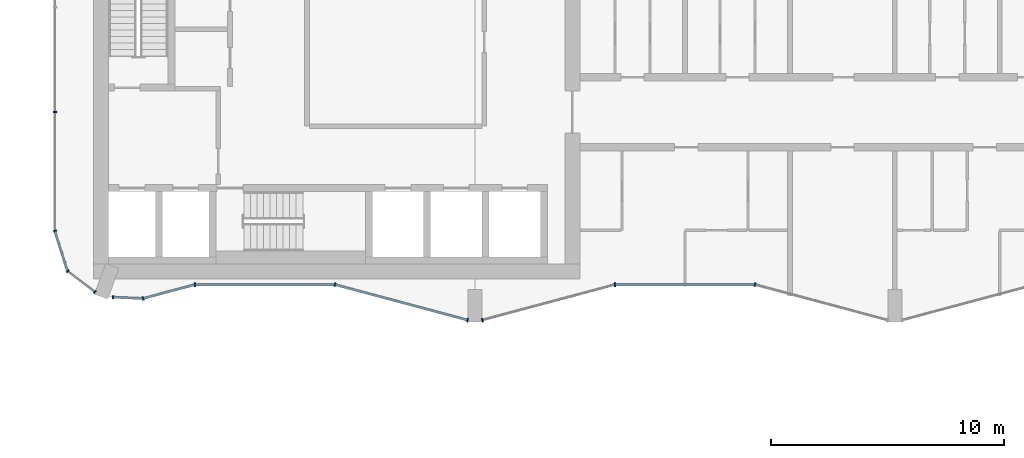
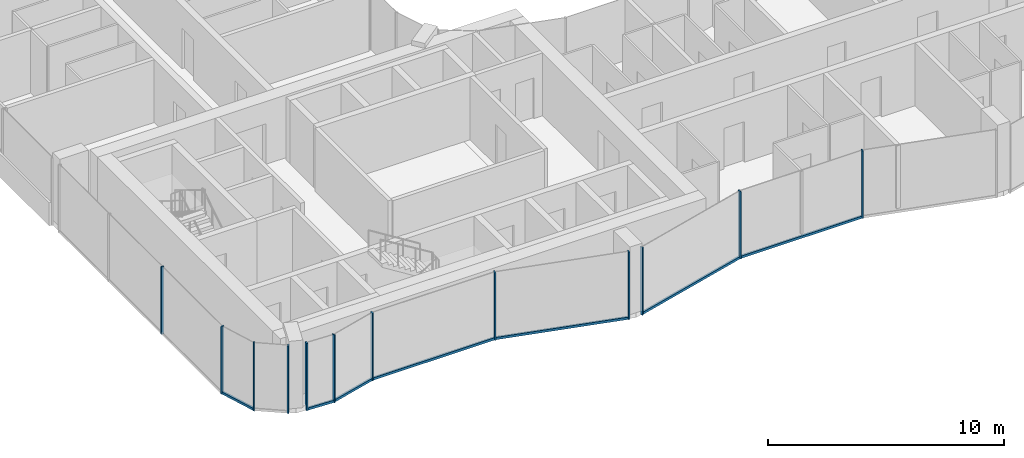
# One storey, part 2 of 22: 19 members, 10 elements without a shape of their own.
"""IFC4 building model written with IfcOpenShell, lengths in metres."""

from ifc_helpers import new_model, si_unit, direction, frame, origin, origin_2d, place, context, subcontext, project, spatial, rectangle, extrude, material, layer, layer_set, material_profile, profile_set, type_object, element, aggregate, save


model = new_model("IFC4")

# Units and contexts
model_context = context("Model", 3, precision=1e-05, world=origin(), true_north=direction((0.0, 1.0)))
body_context = subcontext(model_context, "Body", "Model", "MODEL_VIEW")
ifc_project = project(units=[si_unit("LENGTHUNIT", "METRE"), si_unit("AREAUNIT", "SQUARE_METRE"), si_unit("VOLUMEUNIT", "CUBIC_METRE"), si_unit("PLANEANGLEUNIT", "RADIAN"), si_unit("MASSUNIT", "GRAM", prefix="KILO")], contexts=[model_context])

# Site, building, storey
site_placement = place(None, origin())
site = spatial("IfcSite", under=ifc_project, at=site_placement, CompositionType="ELEMENT")
building_placement = place(site_placement, origin())
building = spatial("IfcBuilding", under=site, at=building_placement, Name="Plateau Cross Towers", CompositionType="ELEMENT")
storey_placement = place(building_placement, frame((0.0, 0.0, 102.800048828125)))
storey = spatial("IfcBuildingStorey", under=building, at=storey_placement, Name="L26", CompositionType="ELEMENT", Elevation=102.800048828125)

# Curtain wall, member
ifc_material_1 = material(Name="Dark low-iron glass", Category="glass")
ifc_layer_1 = layer(ifc_material_1, 0.239990234375)
ifc_layer_set_1 = layer_set([ifc_layer_1], Name="Dark low-iron glass")
curtain_wall_type_1 = type_object("IfcCurtainWallType", Name="Curtain wall flush unitised CW-B", PredefinedType="NOTDEFINED", material=ifc_layer_set_1)
curtain_wall_1_placement = place(storey_placement, origin())
curtain_wall_1 = element("IfcCurtainWall", 1, at=curtain_wall_1_placement, inside=storey, type_object=curtain_wall_type_1, Name="ENV/A/L26/A0_177", PredefinedType="NOTDEFINED")
ifc_material_2 = material(Name="Black anodised aluminium", Category="aluminium")
ifc_material_profile_1 = material_profile(ifc_material_2, rectangle(XDim=0.06005859375, YDim=0.139892578125, at=origin_2d()), Name="MULLION 60x140")
ifc_profile_set_1 = profile_set([ifc_material_profile_1], Name="Black anodised aluminium")
member_type_1 = type_object("IfcMemberType", Name="Mullion 60x140 flush unitised", PredefinedType="MULLION", material=ifc_profile_set_1)
member_1_placement = place(storey_placement, frame((0.0, 9.0, -0.25), z_axis=(0.0, 0.0, 1.0), x_axis=(0.0, -1.0, 0.0)))
member_1 = element("IfcMember", 2, at=member_1_placement, type_object=member_type_1, Name="CW-B mullion 3", PredefinedType="MULLION", context=body_context, shape_type="SweptSolid", body=[
    extrude(rectangle(XDim=0.06005859375, YDim=0.139892578125, at=origin_2d()), origin(), (0.0, 0.0, 1.0), 3.5),
])
aggregate(curtain_wall_1, [member_1])

curtain_wall_2_placement = place(storey_placement, origin())
curtain_wall_2 = element("IfcCurtainWall", 3, at=curtain_wall_2_placement, inside=storey, type_object=curtain_wall_type_1, Name="ENV/A/L26/A0_39", PredefinedType="NOTDEFINED")
member_2_placement = place(storey_placement, frame((0.0, 3.9091796875, -0.25), z_axis=(0.0, 0.0, 1.0), x_axis=(0.300686174994, -0.95372313811, 0.0)))
member_2 = element("IfcMember", 4, at=member_2_placement, type_object=member_type_1, Name="CW-B mullion 1", PredefinedType="MULLION", context=body_context, shape_type="SweptSolid", body=[
    extrude(rectangle(XDim=0.06005859375, YDim=0.139892578125, at=origin_2d()), origin(), (0.0, 0.0, 1.0), 3.5),
])

# Curtain wall, members
curtain_wall_3_placement = place(storey_placement, origin())
curtain_wall_3 = element("IfcCurtainWall", 5, at=curtain_wall_3_placement, inside=storey, type_object=curtain_wall_type_1, Name="ENV/A/L26/A5_22", PredefinedType="NOTDEFINED")
member_3_placement = place(storey_placement, frame((0.54248046875, 2.1884765625, -0.25), z_axis=(0.0, 0.0, 1.0), x_axis=(0.793315514529, -0.608810721331, 0.0)))
member_3 = element("IfcMember", 6, at=member_3_placement, type_object=member_type_1, Name="CW-B mullion 1", PredefinedType="MULLION", context=body_context, shape_type="SweptSolid", body=[
    extrude(rectangle(XDim=0.06005859375, YDim=0.139892578125, at=origin_2d()), origin(), (0.0, 0.0, 1.0), 3.5),
])
member_4_placement = place(storey_placement, frame((1.709716796875, 1.292724609375, -0.25), z_axis=(0.0, 0.0, 1.0), x_axis=(0.793315514529, -0.608810721331, 0.0)))
member_4 = element("IfcMember", 7, at=member_4_placement, type_object=member_type_1, Name="CW-B mullion 2", PredefinedType="MULLION", context=body_context, shape_type="SweptSolid", body=[
    extrude(rectangle(XDim=0.06005859375, YDim=0.139892578125, at=origin_2d()), origin(), (0.0, 0.0, 1.0), 3.5),
])
aggregate(curtain_wall_3, [member_3, member_4])

# Curtain wall, member
curtain_wall_4_placement = place(storey_placement, origin())
curtain_wall_4 = element("IfcCurtainWall", 8, at=curtain_wall_4_placement, inside=storey, type_object=curtain_wall_type_1, Name="ENV/A/L26/A25_11", PredefinedType="NOTDEFINED")
member_5_placement = place(storey_placement, frame((2.483642578125, 1.06787109375, -0.25), z_axis=(0.0, 0.0, 1.0), x_axis=(0.999043701491, -0.043722791671, 0.0)))
member_5 = element("IfcMember", 9, at=member_5_placement, type_object=member_type_1, Name="CW-B mullion 1", PredefinedType="MULLION", context=body_context, shape_type="SweptSolid", body=[
    extrude(rectangle(XDim=0.06005859375, YDim=0.139892578125, at=origin_2d()), origin(), (0.0, 0.0, 1.0), 3.5),
])

ifc_layer_2 = layer(ifc_material_1, 0.260009765625)
ifc_layer_set_2 = layer_set([ifc_layer_2], Name="Dark low-iron glass")
curtain_wall_type_2 = type_object("IfcCurtainWallType", Name="Curtain wall fluted unitised CW-A", PredefinedType="NOTDEFINED", material=ifc_layer_set_2)
curtain_wall_5_placement = place(storey_placement, origin())
curtain_wall_5 = element("IfcCurtainWall", 10, at=curtain_wall_5_placement, inside=storey, type_object=curtain_wall_type_2, Name="ENV/A/L26/A38_10", PredefinedType="NOTDEFINED")
ifc_material_profile_2 = material_profile(ifc_material_2, rectangle(XDim=0.06005859375, YDim=0.159912109375, at=origin_2d()), Name="MULLION 60x160")
ifc_profile_set_2 = profile_set([ifc_material_profile_2], Name="Black anodised aluminium")
member_type_2 = type_object("IfcMemberType", Name="Mullion 60x160 fluted unitised", PredefinedType="MULLION", material=ifc_profile_set_2)
member_6_placement = place(storey_placement, frame((3.776123046875, 1.01123046875, -0.25), z_axis=(0.0, 0.0, 1.0), x_axis=(0.965957962328, 0.258699081978, 0.0)))
member_6 = element("IfcMember", 11, at=member_6_placement, type_object=member_type_2, Name="CW-A mullion 1", PredefinedType="MULLION", context=body_context, shape_type="SweptSolid", body=[
    extrude(rectangle(XDim=0.06005859375, YDim=0.159912109375, at=origin_2d()), origin(), (0.0, 0.0, 1.0), 3.5),
])

curtain_wall_6_placement = place(storey_placement, origin())
curtain_wall_6 = element("IfcCurtainWall", 12, at=curtain_wall_6_placement, inside=storey, type_object=curtain_wall_type_2, Name="ENV/A/L26/A60_16", PredefinedType="NOTDEFINED")
member_7_placement = place(storey_placement, frame((6.0, 1.60693359375, -0.25), z_axis=(0.0, 0.0, 1.0), x_axis=(1.0, 0.0, 0.0)))
member_7 = element("IfcMember", 13, at=member_7_placement, type_object=member_type_2, Name="CW-A mullion 1", PredefinedType="MULLION", context=body_context, shape_type="SweptSolid", body=[
    extrude(rectangle(XDim=0.06005859375, YDim=0.159912109375, at=origin_2d()), origin(), (0.0, 0.0, 1.0), 3.5),
])

# Curtain wall, members
curtain_wall_7_placement = place(storey_placement, origin())
curtain_wall_7 = element("IfcCurtainWall", 14, at=curtain_wall_7_placement, inside=storey, type_object=curtain_wall_type_2, Name="ENV/A/L26/A120_16", PredefinedType="NOTDEFINED")
member_8_placement = place(storey_placement, frame((12.0, 1.60693359375, -0.25), z_axis=(0.0, 0.0, 1.0), x_axis=(0.965957983404, -0.258699003279, 0.0)))
member_8 = element("IfcMember", 15, at=member_8_placement, type_object=member_type_2, Name="CW-A mullion 1", PredefinedType="MULLION", context=body_context, shape_type="SweptSolid", body=[
    extrude(rectangle(XDim=0.06005859375, YDim=0.159912109375, at=origin_2d()), origin(), (0.0, 0.0, 1.0), 3.5),
])
member_9_placement = place(storey_placement, frame((17.68212890625, 0.085205078125, -0.25), z_axis=(0.0, 0.0, 1.0), x_axis=(0.965957983404, -0.258699003279, 0.0)))
member_9 = element("IfcMember", 16, at=member_9_placement, type_object=member_type_2, Name="CW-A mullion 2", PredefinedType="MULLION", context=body_context, shape_type="SweptSolid", body=[
    extrude(rectangle(XDim=0.06005859375, YDim=0.159912109375, at=origin_2d()), origin(), (0.0, 0.0, 1.0), 3.5),
])

# Curtain wall, member
curtain_wall_8_placement = place(storey_placement, origin())
curtain_wall_8 = element("IfcCurtainWall", 17, at=curtain_wall_8_placement, inside=storey, type_object=curtain_wall_type_2, Name="ENV/A/L26/A183_1", PredefinedType="NOTDEFINED")
member_10_placement = place(storey_placement, frame((18.31787109375, 0.085205078125, -0.25), z_axis=(0.0, 0.0, 1.0), x_axis=(0.965957983404, 0.258699003279, 0.0)))
member_10 = element("IfcMember", 18, at=member_10_placement, type_object=member_type_2, Name="CW-A mullion 1", PredefinedType="MULLION", context=body_context, shape_type="SweptSolid", body=[
    extrude(rectangle(XDim=0.06005859375, YDim=0.159912109375, at=origin_2d()), origin(), (0.0, 0.0, 1.0), 3.5),
])

curtain_wall_9_placement = place(storey_placement, origin())
curtain_wall_9 = element("IfcCurtainWall", 19, at=curtain_wall_9_placement, inside=storey, type_object=curtain_wall_type_2, Name="ENV/A/L26/A240_16", PredefinedType="NOTDEFINED")
member_11_placement = place(storey_placement, frame((24.0, 1.60693359375, -0.25), z_axis=(0.0, 0.0, 1.0), x_axis=(1.0, 0.0, 0.0)))
member_11 = element("IfcMember", 20, at=member_11_placement, type_object=member_type_2, Name="CW-A mullion 1", PredefinedType="MULLION", context=body_context, shape_type="SweptSolid", body=[
    extrude(rectangle(XDim=0.06005859375, YDim=0.159912109375, at=origin_2d()), origin(), (0.0, 0.0, 1.0), 3.5),
])

curtain_wall_10_placement = place(storey_placement, origin())
curtain_wall_10 = element("IfcCurtainWall", 21, at=curtain_wall_10_placement, inside=storey, type_object=curtain_wall_type_2, Name="ENV/A/L26/A300_16", PredefinedType="NOTDEFINED")
member_12_placement = place(storey_placement, frame((30.0, 1.60693359375, -0.25), z_axis=(0.0, 0.0, 1.0), x_axis=(0.965957983404, -0.258699003279, 0.0)))
member_12 = element("IfcMember", 22, at=member_12_placement, type_object=member_type_2, Name="CW-A mullion 1", PredefinedType="MULLION", context=body_context, shape_type="SweptSolid", body=[
    extrude(rectangle(XDim=0.06005859375, YDim=0.159912109375, at=origin_2d()), origin(), (0.0, 0.0, 1.0), 3.5),
])
aggregate(curtain_wall_10, [member_12])

# Member
ifc_material_profile_3 = material_profile(ifc_material_2, rectangle(XDim=0.10009765625, YDim=0.1201171875, at=origin_2d()), Name="TRANSOM 100x120")
ifc_profile_set_3 = profile_set([ifc_material_profile_3], Name="Black anodised aluminium")
member_type_3 = type_object("IfcMemberType", Name="Transom 100x120 flush unitised", PredefinedType="USERDEFINED", material=ifc_profile_set_3)
member_13_placement = place(storey_placement, frame((0.0, 3.9091796875, -0.18994140625), z_axis=(0.30067799945, -0.953725715626, 0.0), x_axis=(0.953725715626, 0.30067799945, 0.0)))
member_13 = element("IfcMember", 23, at=member_13_placement, type_object=member_type_3, Name="CW-B transom", ObjectType="TRANSOM", PredefinedType="USERDEFINED", context=body_context, shape_type="SweptSolid", body=[
    extrude(rectangle(XDim=0.10009765625, YDim=0.1201171875, at=origin_2d()), origin(), (0.0, 0.0, 1.0), 1.80419921875),
])

aggregate(curtain_wall_2, [member_2, member_13])

member_14_placement = place(storey_placement, frame((2.483642578125, 1.06787109375, -0.18994140625), z_axis=(0.999041144614, -0.043781175963, 0.0), x_axis=(0.043781175963, 0.999041144614, 0.0)))
member_14 = element("IfcMember", 24, at=member_14_placement, type_object=member_type_3, Name="CW-B transom", ObjectType="TRANSOM", PredefinedType="USERDEFINED", context=body_context, shape_type="SweptSolid", body=[
    extrude(rectangle(XDim=0.10009765625, YDim=0.1201171875, at=origin_2d()), origin(), (0.0, 0.0, 1.0), 1.293701171875),
])

aggregate(curtain_wall_4, [member_5, member_14])

ifc_material_profile_4 = material_profile(ifc_material_2, rectangle(XDim=0.10009765625, YDim=0.1201171875, at=origin_2d()), Name="TRANSOM 100x120")
ifc_profile_set_4 = profile_set([ifc_material_profile_4], Name="Black anodised aluminium")
member_type_4 = type_object("IfcMemberType", Name="Transom 100x120 fluted unitised", PredefinedType="USERDEFINED", material=ifc_profile_set_4)
member_15_placement = place(storey_placement, frame((3.776123046875, 1.01123046875, -0.18994140625), z_axis=(0.965945685136, 0.258744919501, 0.0), x_axis=(-0.258744919501, 0.965945685136, 0.0)))
member_15 = element("IfcMember", 25, at=member_15_placement, type_object=member_type_4, Name="CW-A transom", ObjectType="TRANSOM", PredefinedType="USERDEFINED", context=body_context, shape_type="SweptSolid", body=[
    extrude(rectangle(XDim=0.10009765625, YDim=0.1201171875, at=origin_2d()), origin(), (0.0, 0.0, 1.0), 2.30224609375),
])

aggregate(curtain_wall_5, [member_6, member_15])

member_16_placement = place(storey_placement, frame((6.0, 1.60693359375, -0.18994140625), z_axis=(1.0, 0.0, 0.0), x_axis=(0.0, 1.0, 0.0)))
member_16 = element("IfcMember", 26, at=member_16_placement, type_object=member_type_4, Name="CW-A transom", ObjectType="TRANSOM", PredefinedType="USERDEFINED", context=body_context, shape_type="SweptSolid", body=[
    extrude(rectangle(XDim=0.10009765625, YDim=0.1201171875, at=origin_2d()), origin(), (0.0, 0.0, 1.0), 6.0),
])

aggregate(curtain_wall_6, [member_7, member_16])

member_17_placement = place(storey_placement, frame((12.0, 1.60693359375, -0.18994140625), z_axis=(0.965959534794, -0.258693210465, 0.0), x_axis=(0.258693210465, 0.965959534794, 0.0)))
member_17 = element("IfcMember", 27, at=member_17_placement, type_object=member_type_4, Name="CW-A transom", ObjectType="TRANSOM", PredefinedType="USERDEFINED", context=body_context, shape_type="SweptSolid", body=[
    extrude(rectangle(XDim=0.10009765625, YDim=0.1201171875, at=origin_2d()), origin(), (0.0, 0.0, 1.0), 5.88232421875),
])

aggregate(curtain_wall_7, [member_8, member_9, member_17])

member_18_placement = place(storey_placement, frame((18.31787109375, 0.085205078125, -0.18994140625), z_axis=(0.965959534794, 0.258693210465, 0.0), x_axis=(-0.258693210465, 0.965959534794, 0.0)))
member_18 = element("IfcMember", 28, at=member_18_placement, type_object=member_type_4, Name="CW-A transom", ObjectType="TRANSOM", PredefinedType="USERDEFINED", context=body_context, shape_type="SweptSolid", body=[
    extrude(rectangle(XDim=0.10009765625, YDim=0.1201171875, at=origin_2d()), origin(), (0.0, 0.0, 1.0), 5.88232421875),
])

aggregate(curtain_wall_8, [member_10, member_18])

member_19_placement = place(storey_placement, frame((24.0, 1.60693359375, -0.18994140625), z_axis=(1.0, 0.0, 0.0), x_axis=(0.0, 1.0, 0.0)))
member_19 = element("IfcMember", 29, at=member_19_placement, type_object=member_type_4, Name="CW-A transom", ObjectType="TRANSOM", PredefinedType="USERDEFINED", context=body_context, shape_type="SweptSolid", body=[
    extrude(rectangle(XDim=0.10009765625, YDim=0.1201171875, at=origin_2d()), origin(), (0.0, 0.0, 1.0), 6.0),
])

aggregate(curtain_wall_9, [member_11, member_19])

save(model, "model.ifc")
